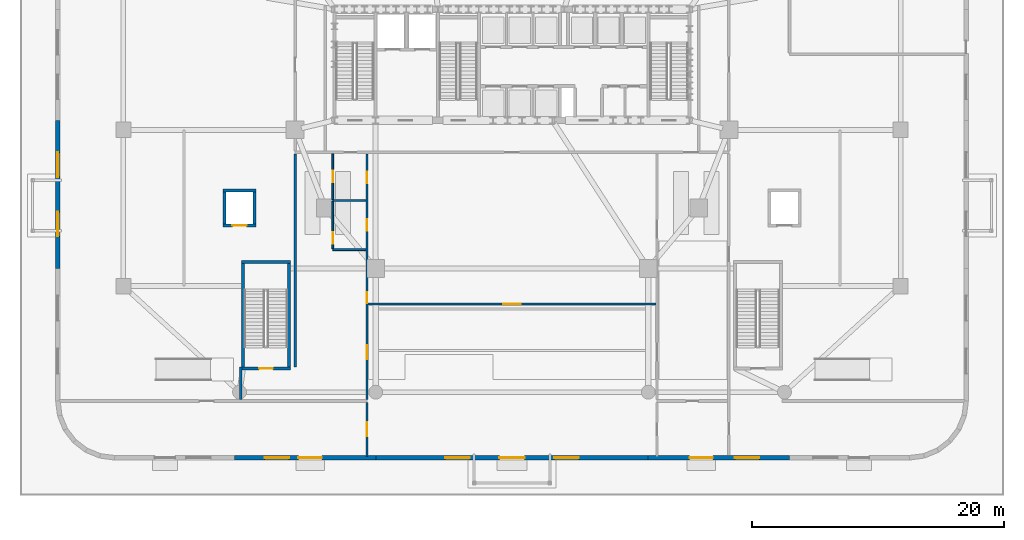
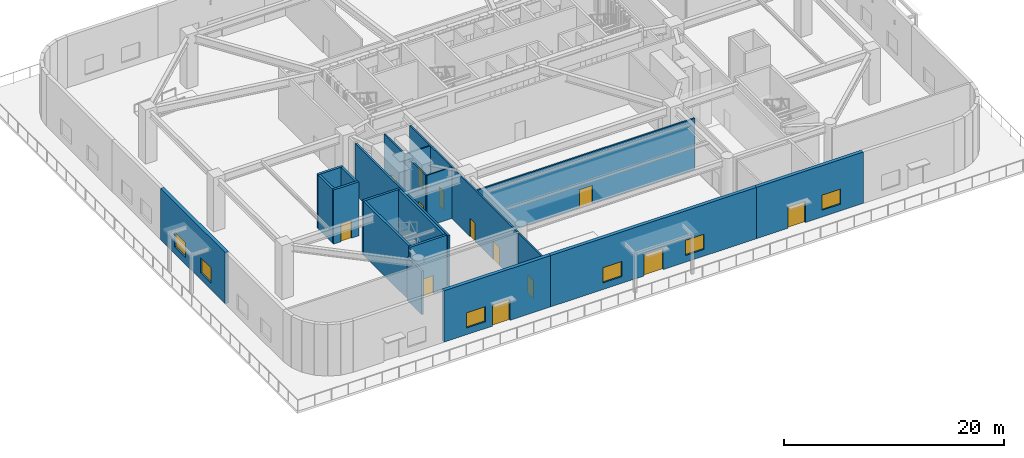
# One storey, part 8 of 21: 21 walls, 13 doors, 6 windows, 19 openings.
"""IFC4 building model written with IfcOpenShell, lengths in metres."""

from ifc_helpers import new_model, si_unit, direction, frame, frame_2d, origin, place, context, subcontext, project, spatial, rectangle, extrude, material, layer, layer_set, type_object, element, fill, save


model = new_model("IFC4")

# Units and contexts
model_context = context("Model", 3, precision=1e-05, world=origin(), true_north=direction((0.0, 1.0)))
body_context = subcontext(model_context, "Body", "Model", "MODEL_VIEW")
ifc_project = project(units=[si_unit("LENGTHUNIT", "METRE"), si_unit("AREAUNIT", "SQUARE_METRE"), si_unit("VOLUMEUNIT", "CUBIC_METRE"), si_unit("PLANEANGLEUNIT", "RADIAN"), si_unit("MASSUNIT", "GRAM", prefix="KILO")], contexts=[model_context])

# Site, building, storey
site_placement = place(None, origin())
site = spatial("IfcSite", under=ifc_project, at=site_placement, CompositionType="ELEMENT")
building_placement = place(site_placement, origin())
building = spatial("IfcBuilding", under=site, at=building_placement, Name="Haldorwick Loom Tower", CompositionType="ELEMENT")
storey_placement = place(building_placement, origin())
storey = spatial("IfcBuildingStorey", under=building, at=storey_placement, Name="L00", CompositionType="ELEMENT", Elevation=0.0)

# Wall, openings, windows
ifc_material_1 = material(Name="Pressed Clay Face Brick and Insulated Masonry Backup Assembly", Category="masonry")
ifc_layer_1 = layer(ifc_material_1, 0.360107421875, Name="Pressed Clay Face Brick and Insulated Masonry Backup Assembly", Category="masonry")
ifc_layer_set_1 = layer_set([ifc_layer_1], Name="Pressed Clay Face Brick and Insulated Masonry Backup Assembly")
wall_type_1 = type_object("IfcWallType", Name="ARC-WL-EXT360", PredefinedType="STANDARD", material=ifc_layer_set_1)
wall_1_placement = place(storey_placement, frame((0.0, 26.75, 0.0), z_axis=(0.0, 0.0, 1.0), x_axis=(0.0, -1.0, 0.0)))
wall_1 = element("IfcWall", 1, at=wall_1_placement, inside=storey, type_object=wall_type_1, Name="L00 Brick Pier and Spandrel Wall 30", PredefinedType="STANDARD", context=body_context, shape_type="SweptSolid", body=[
    extrude(rectangle(XDim=11.75, YDim=0.360107421875, at=frame_2d((5.875, 0.0))), origin(), (0.0, 0.0, 1.0), 5.699951171875),
])
opening_1_placement = place(wall_1_placement, frame((2.550048828125, 0.0, 0.75)))
opening_1 = element("IfcOpeningElement", 2, at=opening_1_placement, cuts=wall_1, Name="Opening W-04B", PredefinedType="OPENING", context=body_context, shape_type="SweptSolid", body=[
    extrude(rectangle(XDim=1.949951171875, YDim=1.679931640625, at=frame_2d((0.97509765625, 0.83984375))), frame((0.0, 0.18994140625, 0.0), z_axis=(0.0, -1.0, 0.0), x_axis=(1.0, 0.0, 0.0)), (0.0, 0.0, 1.0), 0.380126953125),
])
opening_2_placement = place(wall_1_placement, frame((7.25, 0.0, 0.75)))
opening_2 = element("IfcOpeningElement", 3, at=opening_2_placement, cuts=wall_1, Name="Opening W-04B", PredefinedType="OPENING", context=body_context, shape_type="SweptSolid", body=[
    extrude(rectangle(XDim=1.949951171875, YDim=1.679931640625, at=frame_2d((0.97509765625, 0.83984375))), frame((0.0, 0.18994140625, 0.0), z_axis=(0.0, -1.0, 0.0), x_axis=(1.0, 0.0, 0.0)), (0.0, 0.0, 1.0), 0.380126953125),
])
ifc_material_2 = material(Name="Triple-Glazed Low-E Argon Insulated Glazing Unit", Category="glass")
window_type = type_object("IfcWindowType", Name="ARC-WIN-W195", PartitioningType="SINGLE_PANEL", PredefinedType="WINDOW", material=ifc_material_2)
window_1_placement = place(opening_1_placement, origin())
window_1 = element("IfcWindow", 4, at=window_1_placement, inside=storey, type_object=window_type, Name="L00 Deep-Set Zone 7A Window 30", OverallHeight=1.679931640625, OverallWidth=1.949951171875, PartitioningType="SINGLE_PANEL", PredefinedType="WINDOW", context=body_context, shape_type="SweptSolid", body=[
    extrude(rectangle(XDim=1.949951171875, YDim=1.679931640625, at=frame_2d((0.97509765625, 0.83984375))), frame((0.0, 0.030029296875, 0.0), z_axis=(0.0, -1.0, 0.0), x_axis=(1.0, 0.0, 0.0)), (0.0, 0.0, 1.0), 0.06005859375),
])
fill(opening_1, window_1)
window_2_placement = place(opening_2_placement, origin())
window_2 = element("IfcWindow", 5, at=window_2_placement, inside=storey, type_object=window_type, Name="L00 Deep-Set Zone 7A Window 30", OverallHeight=1.679931640625, OverallWidth=1.949951171875, PartitioningType="SINGLE_PANEL", PredefinedType="WINDOW", context=body_context, shape_type="SweptSolid", body=[
    extrude(rectangle(XDim=1.949951171875, YDim=1.679931640625, at=frame_2d((0.97509765625, 0.83984375))), frame((0.0, 0.030029296875, 0.0), z_axis=(0.0, -1.0, 0.0), x_axis=(1.0, 0.0, 0.0)), (0.0, 0.0, 1.0), 0.06005859375),
])
fill(opening_2, window_2)

# Wall, openings, door, window
wall_2_placement = place(storey_placement, frame((14.0, 0.0, 0.0), z_axis=(0.0, 0.0, 1.0), x_axis=(1.0, 0.0, 0.0)))
wall_2 = element("IfcWall", 6, at=wall_2_placement, inside=storey, type_object=wall_type_1, Name="L00 Brick Pier and Spandrel Wall 39", PredefinedType="STANDARD", context=body_context, shape_type="SweptSolid", body=[
    extrude(rectangle(XDim=11.199951171875, YDim=0.360107421875, at=frame_2d((5.60009765625, 0.0))), origin(), (0.0, 0.0, 1.0), 5.699951171875),
])
opening_3_placement = place(wall_2_placement, frame((5.074951171875, 0.0, 0.0)))
opening_3 = element("IfcOpeningElement", 7, at=opening_3_placement, cuts=wall_2, Name="Opening D-EX18", PredefinedType="OPENING", context=body_context, shape_type="SweptSolid", body=[
    extrude(rectangle(XDim=1.85009765625, YDim=2.35009765625, at=frame_2d((0.925048828125, 1.175048828125))), frame((0.0, 0.18994140625, 0.0), z_axis=(0.0, -1.0, 0.0), x_axis=(1.0, 0.0, 0.0)), (0.0, 0.0, 1.0), 0.380126953125),
])
opening_4_placement = place(wall_2_placement, frame((2.385009765625, 0.0, 0.75)))
opening_4 = element("IfcOpeningElement", 8, at=opening_4_placement, cuts=wall_2, Name="Opening W-04B", PredefinedType="OPENING", context=body_context, shape_type="SweptSolid", body=[
    extrude(rectangle(XDim=1.949951171875, YDim=1.679931640625, at=frame_2d((0.97509765625, 0.83984375))), frame((0.0, 0.18994140625, 0.0), z_axis=(0.0, -1.0, 0.0), x_axis=(1.0, 0.0, 0.0)), (0.0, 0.0, 1.0), 0.380126953125),
])
ifc_material_3 = material(Name="Thermally Broken Anodized Aluminium Curtain Wall Framing", Category="aluminium")
door_type_1 = type_object("IfcDoorType", Name="ARC-DR-EXT-CONC2", OperationType="DOUBLE_DOOR_SINGLE_SWING", PredefinedType="DOOR", material=ifc_material_3)
door_1_placement = place(opening_3_placement, frame((1.85009765625, 0.0, 0.0), z_axis=(0.0, 0.0, 1.0), x_axis=(-1.0, 0.0, 0.0)))
door_1 = element("IfcDoor", 9, at=door_1_placement, inside=storey, type_object=door_type_1, Name="L00 Grade Exit Door EX-02", OperationType="SINGLE_SWING_LEFT", OverallHeight=2.35009765625, OverallWidth=1.85009765625, PredefinedType="DOOR", context=body_context, shape_type="SweptSolid", body=[
    extrude(rectangle(XDim=1.85009765625, YDim=2.35009765625, at=frame_2d((0.925048828125, 1.175048828125))), frame((0.0, 0.02490234375, 0.0), z_axis=(0.0, -1.0, 0.0), x_axis=(1.0, 0.0, 0.0)), (0.0, 0.0, 1.0), 0.050048828125),
])
fill(opening_3, door_1)
window_3_placement = place(opening_4_placement, origin())
window_3 = element("IfcWindow", 10, at=window_3_placement, inside=storey, type_object=window_type, Name="L00 Deep-Set Zone 7A Window 39", OverallHeight=1.679931640625, OverallWidth=1.949951171875, PartitioningType="SINGLE_PANEL", PredefinedType="WINDOW", context=body_context, shape_type="SweptSolid", body=[
    extrude(rectangle(XDim=1.949951171875, YDim=1.679931640625, at=frame_2d((0.97509765625, 0.83984375))), frame((0.0, 0.030029296875, 0.0), z_axis=(0.0, -1.0, 0.0), x_axis=(1.0, 0.0, 0.0)), (0.0, 0.0, 1.0), 0.06005859375),
])
fill(opening_4, window_3)

# Wall, openings, door, windows
wall_3_placement = place(storey_placement, frame((25.199951171875, 0.0, 0.0), z_axis=(0.0, 0.0, 1.0), x_axis=(1.0, 0.0, 0.0)))
wall_3 = element("IfcWall", 11, at=wall_3_placement, inside=storey, type_object=wall_type_1, Name="L00 Brick Pier and Spandrel Wall 40", PredefinedType="STANDARD", context=body_context, shape_type="SweptSolid", body=[
    extrude(rectangle(XDim=21.60009765625, YDim=0.360107421875, at=frame_2d((10.800048828125, 0.0))), origin(), (0.0, 0.0, 1.0), 5.699951171875),
])
opening_5_placement = place(wall_3_placement, frame((9.800048828125, 0.0, 0.0)))
opening_5 = element("IfcOpeningElement", 12, at=opening_5_placement, cuts=wall_3, Name="Opening D-EX20", PredefinedType="OPENING", context=body_context, shape_type="SweptSolid", body=[
    extrude(rectangle(XDim=2.0, YDim=2.35009765625, at=frame_2d((1.0, 1.175048828125))), frame((0.0, 0.18994140625, 0.0), z_axis=(0.0, -1.0, 0.0), x_axis=(1.0, 0.0, 0.0)), (0.0, 0.0, 1.0), 0.380126953125),
])
opening_6_placement = place(wall_3_placement, frame((5.5048828125, 0.0, 0.75)))
opening_6 = element("IfcOpeningElement", 13, at=opening_6_placement, cuts=wall_3, Name="Opening W-04B", PredefinedType="OPENING", context=body_context, shape_type="SweptSolid", body=[
    extrude(rectangle(XDim=1.949951171875, YDim=1.679931640625, at=frame_2d((0.97509765625, 0.83984375))), frame((0.0, 0.18994140625, 0.0), z_axis=(0.0, -1.0, 0.0), x_axis=(1.0, 0.0, 0.0)), (0.0, 0.0, 1.0), 0.380126953125),
])
opening_7_placement = place(wall_3_placement, frame((14.14501953125, 0.0, 0.75)))
opening_7 = element("IfcOpeningElement", 14, at=opening_7_placement, cuts=wall_3, Name="Opening W-04B", PredefinedType="OPENING", context=body_context, shape_type="SweptSolid", body=[
    extrude(rectangle(XDim=1.949951171875, YDim=1.679931640625, at=frame_2d((0.97509765625, 0.83984375))), frame((0.0, 0.18994140625, 0.0), z_axis=(0.0, -1.0, 0.0), x_axis=(1.0, 0.0, 0.0)), (0.0, 0.0, 1.0), 0.380126953125),
])
door_type_2 = type_object("IfcDoorType", Name="ARC-DR-EXT-CONC", OperationType="DOUBLE_DOOR_SINGLE_SWING", PredefinedType="DOOR", material=ifc_material_3)
door_2_placement = place(opening_5_placement, frame((2.0, 0.0, 0.0), z_axis=(0.0, 0.0, 1.0), x_axis=(-1.0, 0.0, 0.0)))
door_2 = element("IfcDoor", 15, at=door_2_placement, inside=storey, type_object=door_type_2, Name="L00 Grade Exit Door EX-01", OperationType="SINGLE_SWING_LEFT", OverallHeight=2.35009765625, OverallWidth=2.0, PredefinedType="DOOR", context=body_context, shape_type="SweptSolid", body=[
    extrude(rectangle(XDim=2.0, YDim=2.35009765625, at=frame_2d((1.0, 1.175048828125))), frame((0.0, 0.02490234375, 0.0), z_axis=(0.0, -1.0, 0.0), x_axis=(1.0, 0.0, 0.0)), (0.0, 0.0, 1.0), 0.050048828125),
])
fill(opening_5, door_2)
window_4_placement = place(opening_6_placement, origin())
window_4 = element("IfcWindow", 16, at=window_4_placement, inside=storey, type_object=window_type, Name="L00 Deep-Set Zone 7A Window 40", OverallHeight=1.679931640625, OverallWidth=1.949951171875, PartitioningType="SINGLE_PANEL", PredefinedType="WINDOW", context=body_context, shape_type="SweptSolid", body=[
    extrude(rectangle(XDim=1.949951171875, YDim=1.679931640625, at=frame_2d((0.97509765625, 0.83984375))), frame((0.0, 0.030029296875, 0.0), z_axis=(0.0, -1.0, 0.0), x_axis=(1.0, 0.0, 0.0)), (0.0, 0.0, 1.0), 0.06005859375),
])
fill(opening_6, window_4)
window_5_placement = place(opening_7_placement, origin())
window_5 = element("IfcWindow", 17, at=window_5_placement, inside=storey, type_object=window_type, Name="L00 Deep-Set Zone 7A Window 40", OverallHeight=1.679931640625, OverallWidth=1.949951171875, PartitioningType="SINGLE_PANEL", PredefinedType="WINDOW", context=body_context, shape_type="SweptSolid", body=[
    extrude(rectangle(XDim=1.949951171875, YDim=1.679931640625, at=frame_2d((0.97509765625, 0.83984375))), frame((0.0, 0.030029296875, 0.0), z_axis=(0.0, -1.0, 0.0), x_axis=(1.0, 0.0, 0.0)), (0.0, 0.0, 1.0), 0.06005859375),
])
fill(opening_7, window_5)

# Wall, openings, door, window
wall_4_placement = place(storey_placement, frame((46.800048828125, 0.0, 0.0), z_axis=(0.0, 0.0, 1.0), x_axis=(1.0, 0.0, 0.0)))
wall_4 = element("IfcWall", 18, at=wall_4_placement, inside=storey, type_object=wall_type_1, Name="L00 Brick Pier and Spandrel Wall 41", PredefinedType="STANDARD", context=body_context, shape_type="SweptSolid", body=[
    extrude(rectangle(XDim=11.199951171875, YDim=0.360107421875, at=frame_2d((5.60009765625, 0.0))), origin(), (0.0, 0.0, 1.0), 5.699951171875),
])
opening_8_placement = place(wall_4_placement, frame((3.27490234375, 0.0, 0.0)))
opening_8 = element("IfcOpeningElement", 19, at=opening_8_placement, cuts=wall_4, Name="Opening D-EX18", PredefinedType="OPENING", context=body_context, shape_type="SweptSolid", body=[
    extrude(rectangle(XDim=1.85009765625, YDim=2.35009765625, at=frame_2d((0.925048828125, 1.175048828125))), frame((0.0, 0.18994140625, 0.0), z_axis=(0.0, -1.0, 0.0), x_axis=(1.0, 0.0, 0.0)), (0.0, 0.0, 1.0), 0.380126953125),
])
opening_9_placement = place(wall_4_placement, frame((6.864990234375, 0.0, 0.75)))
opening_9 = element("IfcOpeningElement", 20, at=opening_9_placement, cuts=wall_4, Name="Opening W-04B", PredefinedType="OPENING", context=body_context, shape_type="SweptSolid", body=[
    extrude(rectangle(XDim=1.949951171875, YDim=1.679931640625, at=frame_2d((0.97509765625, 0.83984375))), frame((0.0, 0.18994140625, 0.0), z_axis=(0.0, -1.0, 0.0), x_axis=(1.0, 0.0, 0.0)), (0.0, 0.0, 1.0), 0.380126953125),
])
door_3_placement = place(opening_8_placement, frame((1.85009765625, 0.0, 0.0), z_axis=(0.0, 0.0, 1.0), x_axis=(-1.0, 0.0, 0.0)))
door_3 = element("IfcDoor", 21, at=door_3_placement, inside=storey, type_object=door_type_1, Name="L00 Grade Exit Door EX-03", OperationType="SINGLE_SWING_LEFT", OverallHeight=2.35009765625, OverallWidth=1.85009765625, PredefinedType="DOOR", context=body_context, shape_type="SweptSolid", body=[
    extrude(rectangle(XDim=1.85009765625, YDim=2.35009765625, at=frame_2d((0.925048828125, 1.175048828125))), frame((0.0, 0.02490234375, 0.0), z_axis=(0.0, -1.0, 0.0), x_axis=(1.0, 0.0, 0.0)), (0.0, 0.0, 1.0), 0.050048828125),
])
fill(opening_8, door_3)
window_6_placement = place(opening_9_placement, origin())
window_6 = element("IfcWindow", 22, at=window_6_placement, inside=storey, type_object=window_type, Name="L00 Deep-Set Zone 7A Window 41", OverallHeight=1.679931640625, OverallWidth=1.949951171875, PartitioningType="SINGLE_PANEL", PredefinedType="WINDOW", context=body_context, shape_type="SweptSolid", body=[
    extrude(rectangle(XDim=1.949951171875, YDim=1.679931640625, at=frame_2d((0.97509765625, 0.83984375))), frame((0.0, 0.030029296875, 0.0), z_axis=(0.0, -1.0, 0.0), x_axis=(1.0, 0.0, 0.0)), (0.0, 0.0, 1.0), 0.06005859375),
])
fill(opening_9, window_6)

# Wall, opening, door
ifc_material_4 = material(Name="Fire-Rated Type X Gypsum Stud Assembly EI 60")
ifc_layer_2 = layer(ifc_material_4, 0.159912109375, Name="Fire-Rated Type X Gypsum Stud Assembly EI 60")
ifc_layer_set_2 = layer_set([ifc_layer_2], Name="Fire-Rated Type X Gypsum Stud Assembly EI 60")
wall_type_2 = type_object("IfcWallType", Name="ARC-WL-FIRE160", PredefinedType="PARTITIONING", material=ifc_layer_set_2)
wall_5_placement = place(storey_placement, frame((24.5, 0.10009765625, 0.0), z_axis=(0.0, 0.0, 1.0), x_axis=(0.0, 1.0, 0.0)))
wall_5 = element("IfcWall", 23, at=wall_5_placement, inside=storey, type_object=wall_type_2, Name="L00 Podium Partition L00-W1", PredefinedType="PARTITIONING", context=body_context, shape_type="SweptSolid", body=[
    extrude(rectangle(XDim=4.296875, YDim=0.159912109375, at=frame_2d((2.1484375, 0.0))), origin(), (0.0, 0.0, 1.0), 5.68505859375),
])
opening_10_placement = place(wall_5_placement, frame((1.598388671875, 0.0, 0.0)))
opening_10 = element("IfcOpeningElement", 24, at=opening_10_placement, cuts=wall_5, Name="Opening D-FD90", PredefinedType="OPENING", context=body_context, shape_type="SweptSolid", body=[
    extrude(rectangle(XDim=1.10009765625, YDim=2.0, at=frame_2d((0.550048828125, 1.0))), frame((0.0, 0.08984375, 0.0), z_axis=(0.0, -1.0, 0.0), x_axis=(1.0, 0.0, 0.0)), (0.0, 0.0, 1.0), 0.179931640625),
])
ifc_material_5 = material(Name="Hollow Steel Fire Door Assembly", Category="steel")
door_type_3 = type_object("IfcDoorType", Name="ARC-DR-FD90", OperationType="NOTDEFINED", PredefinedType="DOOR", material=ifc_material_5)
door_4_placement = place(opening_10_placement, frame((1.10009765625, 0.0, 0.0), z_axis=(0.0, 0.0, 1.0), x_axis=(-1.0, 0.0, 0.0)))
door_4 = element("IfcDoor", 25, at=door_4_placement, inside=storey, type_object=door_type_3, Name="L00 West Podium Exit Passageway to Transit Station Concourse Door", OperationType="SINGLE_SWING_LEFT", OverallHeight=2.0, OverallWidth=1.10009765625, PredefinedType="DOOR", context=body_context, shape_type="SweptSolid", body=[
    extrude(rectangle(XDim=1.10009765625, YDim=2.0, at=frame_2d((0.550048828125, 1.0))), frame((0.0, 0.02490234375, 0.0), z_axis=(0.0, -1.0, 0.0), x_axis=(1.0, 0.0, 0.0)), (0.0, 0.0, 1.0), 0.050048828125),
])
fill(opening_10, door_4)

# Wall, openings, doors
wall_6_placement = place(storey_placement, frame((24.5, 4.60302734375, 0.0), z_axis=(0.0, 0.0, 1.0), x_axis=(0.0, 1.0, 0.0)))
wall_6 = element("IfcWall", 26, at=wall_6_placement, inside=storey, type_object=wall_type_2, Name="L00 Podium Partition L00-W1", PredefinedType="PARTITIONING", context=body_context, shape_type="SweptSolid", body=[
    extrude(rectangle(XDim=19.493896484375, YDim=0.159912109375, at=frame_2d((9.7470703125, 0.0))), origin(), (0.0, 0.0, 1.0), 5.68505859375),
])
opening_11_placement = place(wall_6_placement, frame((3.2158203125, 0.0, 0.0)))
opening_11 = element("IfcOpeningElement", 27, at=opening_11_placement, cuts=wall_6, Name="Opening D-FD90", PredefinedType="OPENING", context=body_context, shape_type="SweptSolid", body=[
    extrude(rectangle(XDim=1.10009765625, YDim=2.0, at=frame_2d((0.550048828125, 1.0))), frame((0.0, 0.08984375, 0.0), z_axis=(0.0, -1.0, 0.0), x_axis=(1.0, 0.0, 0.0)), (0.0, 0.0, 1.0), 0.179931640625),
])
opening_12_placement = place(wall_6_placement, frame((7.6337890625, 0.0, 0.0)))
opening_12 = element("IfcOpeningElement", 28, at=opening_12_placement, cuts=wall_6, Name="Opening D-FD60A", PredefinedType="OPENING", context=body_context, shape_type="SweptSolid", body=[
    extrude(rectangle(XDim=0.89990234375, YDim=2.0, at=frame_2d((0.449951171875, 1.0))), frame((0.0, 0.08984375, 0.0), z_axis=(0.0, -1.0, 0.0), x_axis=(1.0, 0.0, 0.0)), (0.0, 0.0, 1.0), 0.179931640625),
])
opening_13_placement = place(wall_6_placement, frame((17.1611328125, 0.0, 0.0)))
opening_13 = element("IfcOpeningElement", 29, at=opening_13_placement, cuts=wall_6, Name="Opening D-FD60A", PredefinedType="OPENING", context=body_context, shape_type="SweptSolid", body=[
    extrude(rectangle(XDim=0.89990234375, YDim=2.0, at=frame_2d((0.449951171875, 1.0))), frame((0.0, 0.08984375, 0.0), z_axis=(0.0, -1.0, 0.0), x_axis=(1.0, 0.0, 0.0)), (0.0, 0.0, 1.0), 0.179931640625),
])
opening_14_placement = place(wall_6_placement, frame((13.395263671875, 0.0, 0.0)))
opening_14 = element("IfcOpeningElement", 30, at=opening_14_placement, cuts=wall_6, Name="Opening D-FD60A", PredefinedType="OPENING", context=body_context, shape_type="SweptSolid", body=[
    extrude(rectangle(XDim=0.89990234375, YDim=2.0, at=frame_2d((0.449951171875, 1.0))), frame((0.0, 0.08984375, 0.0), z_axis=(0.0, -1.0, 0.0), x_axis=(1.0, 0.0, 0.0)), (0.0, 0.0, 1.0), 0.179931640625),
])
door_type_4 = type_object("IfcDoorType", Name="ARC-DR-FD60-90", OperationType="NOTDEFINED", PredefinedType="DOOR", material=ifc_material_5)
door_5_placement = place(opening_12_placement, frame((0.89990234375, 0.0, 0.0), z_axis=(0.0, 0.0, 1.0), x_axis=(-1.0, 0.0, 0.0)))
door_5 = element("IfcDoor", 31, at=door_5_placement, inside=storey, type_object=door_type_4, Name="L00 West Stair Exit Vestibule to Paid Transit Concourse Door", OperationType="SINGLE_SWING_RIGHT", OverallHeight=2.0, OverallWidth=0.89990234375, PredefinedType="DOOR", context=body_context, shape_type="SweptSolid", body=[
    extrude(rectangle(XDim=0.89990234375, YDim=2.0, at=frame_2d((0.449951171875, 1.0))), frame((0.0, 0.02490234375, 0.0), z_axis=(0.0, -1.0, 0.0), x_axis=(1.0, 0.0, 0.0)), (0.0, 0.0, 1.0), 0.050048828125),
])
fill(opening_12, door_5)
door_6_placement = place(opening_13_placement, frame((0.89990234375, 0.0, 0.0), z_axis=(0.0, 0.0, 1.0), x_axis=(-1.0, 0.0, 0.0)))
door_6 = element("IfcDoor", 32, at=door_6_placement, inside=storey, type_object=door_type_4, Name="L00 Accessible WC to Paid Transit Concourse Door", OperationType="SINGLE_SWING_RIGHT", OverallHeight=2.0, OverallWidth=0.89990234375, PredefinedType="DOOR", context=body_context, shape_type="SweptSolid", body=[
    extrude(rectangle(XDim=0.89990234375, YDim=2.0, at=frame_2d((0.449951171875, 1.0))), frame((0.0, 0.02490234375, 0.0), z_axis=(0.0, -1.0, 0.0), x_axis=(1.0, 0.0, 0.0)), (0.0, 0.0, 1.0), 0.050048828125),
])
fill(opening_13, door_6)
door_7_placement = place(opening_14_placement, frame((0.89990234375, 0.0, 0.0), z_axis=(0.0, 0.0, 1.0), x_axis=(-1.0, 0.0, 0.0)))
door_7 = element("IfcDoor", 33, at=door_7_placement, inside=storey, type_object=door_type_4, Name="L00 Public Washroom to Paid Transit Concourse Door", OperationType="SINGLE_SWING_LEFT", OverallHeight=2.0, OverallWidth=0.89990234375, PredefinedType="DOOR", context=body_context, shape_type="SweptSolid", body=[
    extrude(rectangle(XDim=0.89990234375, YDim=2.0, at=frame_2d((0.449951171875, 1.0))), frame((0.0, 0.02490234375, 0.0), z_axis=(0.0, -1.0, 0.0), x_axis=(1.0, 0.0, 0.0)), (0.0, 0.0, 1.0), 0.050048828125),
])
fill(opening_14, door_7)
door_8_placement = place(opening_11_placement, frame((1.10009765625, 0.0, 0.0), z_axis=(0.0, 0.0, 1.0), x_axis=(-1.0, 0.0, 0.0)))
door_8 = element("IfcDoor", 34, at=door_8_placement, inside=storey, type_object=door_type_3, Name="L00 West Stair Exit Vestibule to Transit Station Concourse Door", OperationType="SINGLE_SWING_LEFT", OverallHeight=2.0, OverallWidth=1.10009765625, PredefinedType="DOOR", context=body_context, shape_type="SweptSolid", body=[
    extrude(rectangle(XDim=1.10009765625, YDim=2.0, at=frame_2d((0.550048828125, 1.0))), frame((0.0, 0.02490234375, 0.0), z_axis=(0.0, -1.0, 0.0), x_axis=(1.0, 0.0, 0.0)), (0.0, 0.0, 1.0), 0.050048828125),
])
fill(opening_11, door_8)

# Wall, opening, door
wall_7_placement = place(storey_placement, frame((24.5830078125, 12.199951171875, 0.0), z_axis=(0.0, 0.0, 1.0), x_axis=(1.0, 0.0, 0.0)))
wall_7 = element("IfcWall", 35, at=wall_7_placement, inside=storey, type_object=wall_type_2, Name="L00 Podium Partition L00-FG", PredefinedType="PARTITIONING", context=body_context, shape_type="SweptSolid", body=[
    extrude(rectangle(XDim=22.833984375, YDim=0.159912109375, at=frame_2d((11.4169921875, 0.0))), origin(), (0.0, 0.0, 1.0), 5.68505859375),
])
opening_15_placement = place(wall_7_placement, frame((10.741943359375, 0.0, 0.0)))
opening_15 = element("IfcOpeningElement", 36, at=opening_15_placement, cuts=wall_7, Name="Opening D-CR15", PredefinedType="OPENING", context=body_context, shape_type="SweptSolid", body=[
    extrude(rectangle(XDim=1.35009765625, YDim=2.0, at=frame_2d((0.675048828125, 1.0))), frame((0.0, 0.08984375, 0.0), z_axis=(0.0, -1.0, 0.0), x_axis=(1.0, 0.0, 0.0)), (0.0, 0.0, 1.0), 0.179931640625),
])
ifc_material_6 = material(Name="Thermally Broken Anodized Aluminium and Tempered Glass", Category="aluminium")
door_type_5 = type_object("IfcDoorType", Name="ARC-DR-COR150", OperationType="NOTDEFINED", PredefinedType="DOOR", material=ifc_material_6)
door_9_placement = place(opening_15_placement, origin())
door_9 = element("IfcDoor", 37, at=door_9_placement, inside=storey, type_object=door_type_5, Name="L00 Paid Transit Concourse to Transit Station Concourse Door", OperationType="DOUBLE_DOOR_SINGLE_SWING", OverallHeight=2.0, OverallWidth=1.35009765625, PredefinedType="DOOR", context=body_context, shape_type="SweptSolid", body=[
    extrude(rectangle(XDim=1.35009765625, YDim=2.0, at=frame_2d((0.675048828125, 1.0))), frame((0.0, 0.02490234375, 0.0), z_axis=(0.0, -1.0, 0.0), x_axis=(1.0, 0.0, 0.0)), (0.0, 0.0, 1.0), 0.050048828125),
])
fill(opening_15, door_9)

# Walls
ifc_material_7 = material(Name="Fire-Rated Type X Gypsum Stud Assembly EI 120")
ifc_layer_3 = layer(ifc_material_7, 0.199951171875, Name="Fire-Rated Type X Gypsum Stud Assembly EI 120")
ifc_layer_set_3 = layer_set([ifc_layer_3], Name="Fire-Rated Type X Gypsum Stud Assembly EI 120")
wall_type_3 = type_object("IfcWallType", Name="ARC-WL-FIRE200", PredefinedType="PARTITIONING", material=ifc_layer_set_3)
wall_8_placement = place(storey_placement, frame((18.800048828125, 7.199951171875, 0.0), z_axis=(0.0, 0.0, 1.0), x_axis=(0.0, 1.0, 0.0)))
element("IfcWall", 38, at=wall_8_placement, inside=storey, type_object=wall_type_3, Name="L00 Podium Partition L00-EPW1", PredefinedType="PARTITIONING", context=body_context, shape_type="SweptSolid", body=[
    extrude(rectangle(XDim=16.89697265625, YDim=0.199951171875, at=frame_2d((8.448486328125, 0.0))), origin(), (0.0, 0.0, 1.0), 5.68505859375),
])
wall_9_placement = place(storey_placement, frame((14.5, 4.60302734375, 0.0), z_axis=(0.0, 0.0, 1.0), x_axis=(0.0, 1.0, 0.0)))
element("IfcWall", 39, at=wall_9_placement, inside=storey, type_object=wall_type_3, Name="L00 Podium Partition L00-EPSW2", PredefinedType="PARTITIONING", context=body_context, shape_type="SweptSolid", body=[
    extrude(rectangle(XDim=2.596923828125, YDim=0.199951171875, at=frame_2d((1.29833984375, 0.0))), origin(), (0.0, 0.0, 1.0), 4.820068359375),
])
ifc_layer_4 = layer(ifc_material_4, 0.139892578125, Name="Fire-Rated Type X Gypsum Stud Assembly EI 60")
ifc_layer_set_4 = layer_set([ifc_layer_4], Name="Fire-Rated Type X Gypsum Stud Assembly EI 60")
wall_type_4 = type_object("IfcWallType", Name="ARC-WL-PART140", PredefinedType="PARTITIONING", material=ifc_layer_set_4)
for number, where, z_axis, x_axis, name in (
    (40, (21.800048828125, 16.5, 0.0), (0.0, 0.0, 1.0), (1.0, 0.0, 0.0), "L00 Podium Partition L00-WC1"),
    (41, (21.800048828125, 20.39990234375, 0.0), (0.0, 0.0, 1.0), (1.0, 0.0, 0.0), "L00 Podium Partition L00-WC2"),
):
    element("IfcWall", number, at=place(storey_placement, frame(where, z_axis=z_axis, x_axis=x_axis)), inside=storey, type_object=wall_type_4, Name=name, PredefinedType="PARTITIONING", context=body_context, shape_type="SweptSolid", body=[
        extrude(rectangle(XDim=2.616943359375, YDim=0.139892578125, at=frame_2d((1.30859375, 0.0))), origin(), (0.0, 0.0, 1.0), 5.68505859375),
    ])

# Wall, opening, door
wall_10_placement = place(storey_placement, frame((21.800048828125, 16.572998046875, 0.0), z_axis=(0.0, 0.0, 1.0), x_axis=(0.0, 1.0, 0.0)))
wall_10 = element("IfcWall", 42, at=wall_10_placement, inside=storey, type_object=wall_type_4, Name="L00 Podium Partition L00-WC3", PredefinedType="PARTITIONING", context=body_context, shape_type="SweptSolid", body=[
    extrude(rectangle(XDim=3.75390625, YDim=0.139892578125, at=frame_2d((1.876953125, 0.0))), origin(), (0.0, 0.0, 1.0), 5.68505859375),
])
opening_16_placement = place(wall_10_placement, frame((0.400390625, 0.0, 0.0)))
opening_16 = element("IfcOpeningElement", 43, at=opening_16_placement, cuts=wall_10, Name="Opening D-FD60A", PredefinedType="OPENING", context=body_context, shape_type="SweptSolid", body=[
    extrude(rectangle(XDim=0.89990234375, YDim=2.0, at=frame_2d((0.449951171875, 1.0))), frame((0.0, 0.079833984375, 0.0), z_axis=(0.0, -1.0, 0.0), x_axis=(1.0, 0.0, 0.0)), (0.0, 0.0, 1.0), 0.159912109375),
])
door_10_placement = place(opening_16_placement, origin())
door_10 = element("IfcDoor", 44, at=door_10_placement, inside=storey, type_object=door_type_4, Name="L00 West Stair Exit Vestibule to Public Washroom Door", OperationType="SINGLE_SWING_RIGHT", OverallHeight=2.0, OverallWidth=0.89990234375, PredefinedType="DOOR", context=body_context, shape_type="SweptSolid", body=[
    extrude(rectangle(XDim=0.89990234375, YDim=2.0, at=frame_2d((0.449951171875, 1.0))), frame((0.0, 0.02490234375, 0.0), z_axis=(0.0, -1.0, 0.0), x_axis=(1.0, 0.0, 0.0)), (0.0, 0.0, 1.0), 0.050048828125),
])
fill(opening_16, door_10)

wall_11_placement = place(storey_placement, frame((21.800048828125, 20.472900390625, 0.0), z_axis=(0.0, 0.0, 1.0), x_axis=(0.0, 1.0, 0.0)))
wall_11 = element("IfcWall", 45, at=wall_11_placement, inside=storey, type_object=wall_type_4, Name="L00 Podium Partition L00-WC3", PredefinedType="PARTITIONING", context=body_context, shape_type="SweptSolid", body=[
    extrude(rectangle(XDim=3.6240234375, YDim=0.139892578125, at=frame_2d((1.81201171875, 0.0))), origin(), (0.0, 0.0, 1.0), 5.68505859375),
])
opening_17_placement = place(wall_11_placement, frame((1.362060546875, 0.0, 0.0)))
opening_17 = element("IfcOpeningElement", 46, at=opening_17_placement, cuts=wall_11, Name="Opening D-FD60A", PredefinedType="OPENING", context=body_context, shape_type="SweptSolid", body=[
    extrude(rectangle(XDim=0.89990234375, YDim=2.0, at=frame_2d((0.449951171875, 1.0))), frame((0.0, 0.079833984375, 0.0), z_axis=(0.0, -1.0, 0.0), x_axis=(1.0, 0.0, 0.0)), (0.0, 0.0, 1.0), 0.159912109375),
])
door_11_placement = place(opening_17_placement, origin())
door_11 = element("IfcDoor", 47, at=door_11_placement, inside=storey, type_object=door_type_4, Name="L00 West Stair Exit Vestibule to Accessible WC Door", OperationType="SINGLE_SWING_LEFT", OverallHeight=2.0, OverallWidth=0.89990234375, PredefinedType="DOOR", context=body_context, shape_type="SweptSolid", body=[
    extrude(rectangle(XDim=0.89990234375, YDim=2.0, at=frame_2d((0.449951171875, 1.0))), frame((0.0, 0.02490234375, 0.0), z_axis=(0.0, -1.0, 0.0), x_axis=(1.0, 0.0, 0.0)), (0.0, 0.0, 1.0), 0.050048828125),
])
fill(opening_17, door_11)

ifc_material_8 = material(Name="Concrete C50 (50 MPa)", Category="concrete")
ifc_layer_5 = layer(ifc_material_8, 0.239990234375, Name="Concrete C50 (50 MPa)", Category="concrete")
ifc_layer_set_5 = layer_set([ifc_layer_5], Name="Concrete C50 (50 MPa)")
wall_type_5 = type_object("IfcWallType", Name="STR-WL-SHAFT240", PredefinedType="SHEAR", material=ifc_layer_set_5)
wall_12_placement = place(storey_placement, frame((14.56005859375, 7.080078125, 0.0), z_axis=(0.0, 0.0, 1.0), x_axis=(1.0, 0.0, 0.0)))
wall_12 = element("IfcWall", 48, at=wall_12_placement, inside=storey, type_object=wall_type_5, Name="L00 Exit Stairwell ST-P1 Wall", PredefinedType="SHEAR", context=body_context, shape_type="SweptSolid", body=[
    extrude(rectangle(XDim=3.8798828125, YDim=0.239990234375, at=frame_2d((1.93994140625, 0.0))), origin(), (0.0, 0.0, 1.0), 6.0),
])
opening_18_placement = place(wall_12_placement, frame((1.389892578125, 0.0, 0.0)))
opening_18 = element("IfcOpeningElement", 49, at=opening_18_placement, cuts=wall_12, Name="Opening D-FD90", PredefinedType="OPENING", context=body_context, shape_type="SweptSolid", body=[
    extrude(rectangle(XDim=1.10009765625, YDim=2.0, at=frame_2d((0.550048828125, 1.0))), frame((0.0, 0.1298828125, 0.0), z_axis=(0.0, -1.0, 0.0), x_axis=(1.0, 0.0, 0.0)), (0.0, 0.0, 1.0), 0.260009765625),
])
door_12_placement = place(opening_18_placement, frame((1.10009765625, 0.0, 0.0), z_axis=(0.0, 0.0, 1.0), x_axis=(-1.0, 0.0, 0.0)))
door_12 = element("IfcDoor", 50, at=door_12_placement, inside=storey, type_object=door_type_3, Name="L00 Exit Stairwell ST-P1 Exit Door", OperationType="SINGLE_SWING_LEFT", OverallHeight=2.0, OverallWidth=1.10009765625, PredefinedType="DOOR", context=body_context, shape_type="SweptSolid", body=[
    extrude(rectangle(XDim=1.10009765625, YDim=2.0, at=frame_2d((0.550048828125, 1.0))), frame((0.0, 0.02490234375, 0.0), z_axis=(0.0, -1.0, 0.0), x_axis=(1.0, 0.0, 0.0)), (0.0, 0.0, 1.0), 0.050048828125),
])
fill(opening_18, door_12)

# Walls
wall_13_placement = place(storey_placement, frame((18.43994140625, 15.52001953125, 0.0), z_axis=(0.0, 0.0, 1.0), x_axis=(-1.0, 0.0, 0.0)))
element("IfcWall", 51, at=wall_13_placement, inside=storey, type_object=wall_type_5, Name="L00 Exit Stairwell ST-P1 Wall", PredefinedType="SHEAR", context=body_context, shape_type="SweptSolid", body=[
    extrude(rectangle(XDim=3.8798828125, YDim=0.239990234375, at=frame_2d((1.93994140625, 0.0))), origin(), (0.0, 0.0, 1.0), 6.0),
])
for number, where, z_axis, x_axis, name in (
    (52, (14.679931640625, 7.202880859375, 0.0), (0.0, 0.0, 1.0), (0.0, 1.0, 0.0), "L00 Exit Stairwell ST-P1 Wall"),
    (53, (18.320068359375, 7.202880859375, 0.0), (0.0, 0.0, 1.0), (0.0, 1.0, 0.0), "L00 Exit Stairwell ST-P1 Wall"),
):
    element("IfcWall", number, at=place(storey_placement, frame(where, z_axis=z_axis, x_axis=x_axis)), inside=storey, type_object=wall_type_5, Name=name, PredefinedType="SHEAR", context=body_context, shape_type="SweptSolid", body=[
        extrude(rectangle(XDim=8.194091796875, YDim=0.239990234375, at=frame_2d((4.09716796875, 0.0))), origin(), (0.0, 0.0, 1.0), 6.0),
    ])

# Wall, opening, door
wall_14_placement = place(storey_placement, frame((13.080078125, 18.39990234375, 0.0), z_axis=(0.0, 0.0, 1.0), x_axis=(1.0, 0.0, 0.0)))
wall_14 = element("IfcWall", 54, at=wall_14_placement, inside=storey, type_object=wall_type_5, Name="L00 Podium Lift Shaft LF-P1 Wall", PredefinedType="SHEAR", context=body_context, shape_type="SweptSolid", body=[
    extrude(rectangle(XDim=2.639892578125, YDim=0.239990234375, at=frame_2d((1.31982421875, 0.0))), origin(), (0.0, 0.0, 1.0), 6.0),
])
opening_19_placement = place(wall_14_placement, frame((0.760009765625, 0.0, 0.0)))
opening_19 = element("IfcOpeningElement", 55, at=opening_19_placement, cuts=wall_14, Name="Opening LD-P1", PredefinedType="OPENING", context=body_context, shape_type="SweptSolid", body=[
    extrude(rectangle(XDim=1.1201171875, YDim=2.0, at=frame_2d((0.56005859375, 1.0))), frame((0.0, 0.1298828125, 0.0), z_axis=(0.0, -1.0, 0.0), x_axis=(1.0, 0.0, 0.0)), (0.0, 0.0, 1.0), 0.260009765625),
])
door_type_6 = type_object("IfcDoorType", Name="ARC-DR-LD-PAX", OperationType="NOTDEFINED", PredefinedType="USERDEFINED", material=ifc_material_5)
door_13_placement = place(opening_19_placement, origin())
door_13 = element("IfcDoor", 56, at=door_13_placement, inside=storey, type_object=door_type_6, Name="L00 Lift LF-P1 Sliding Landing Door", ObjectType="LANDING DOOR", OperationType="DOUBLE_DOOR_SLIDING", OverallHeight=2.0, OverallWidth=1.1201171875, PredefinedType="USERDEFINED", context=body_context, shape_type="SweptSolid", body=[
    extrude(rectangle(XDim=1.1201171875, YDim=2.0, at=frame_2d((0.56005859375, 1.0))), frame((0.0, 0.02490234375, 0.0), z_axis=(0.0, -1.0, 0.0), x_axis=(1.0, 0.0, 0.0)), (0.0, 0.0, 1.0), 0.050048828125),
])
fill(opening_19, door_13)

# Walls
wall_15_placement = place(storey_placement, frame((15.719970703125, 21.199951171875, 0.0), z_axis=(0.0, 0.0, 1.0), x_axis=(-1.0, 0.0, 0.0)))
element("IfcWall", 57, at=wall_15_placement, inside=storey, type_object=wall_type_5, Name="L00 Podium Lift Shaft LF-P1 Wall", PredefinedType="SHEAR", context=body_context, shape_type="SweptSolid", body=[
    extrude(rectangle(XDim=2.639892578125, YDim=0.239990234375, at=frame_2d((1.31982421875, 0.0))), origin(), (0.0, 0.0, 1.0), 6.0),
])
for number, where, z_axis, x_axis, name in (
    (58, (13.199951171875, 18.52294921875, 0.0), (0.0, 0.0, 1.0), (0.0, 1.0, 0.0), "L00 Podium Lift Shaft LF-P1 Wall"),
    (59, (15.60009765625, 18.52294921875, 0.0), (0.0, 0.0, 1.0), (0.0, 1.0, 0.0), "L00 Podium Lift Shaft LF-P1 Wall"),
):
    element("IfcWall", number, at=place(storey_placement, frame(where, z_axis=z_axis, x_axis=x_axis)), inside=storey, type_object=wall_type_5, Name=name, PredefinedType="SHEAR", context=body_context, shape_type="SweptSolid", body=[
        extrude(rectangle(XDim=2.553955078125, YDim=0.239990234375, at=frame_2d((1.27685546875, 0.0))), origin(), (0.0, 0.0, 1.0), 6.0),
    ])

save(model, "model.ifc")
